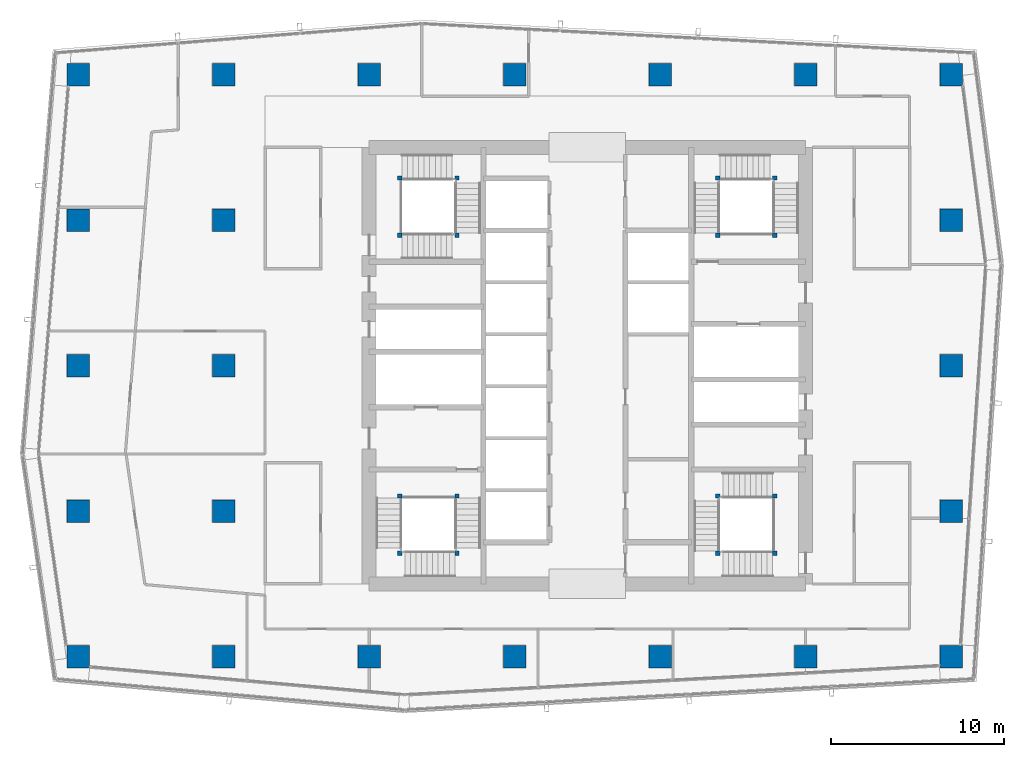
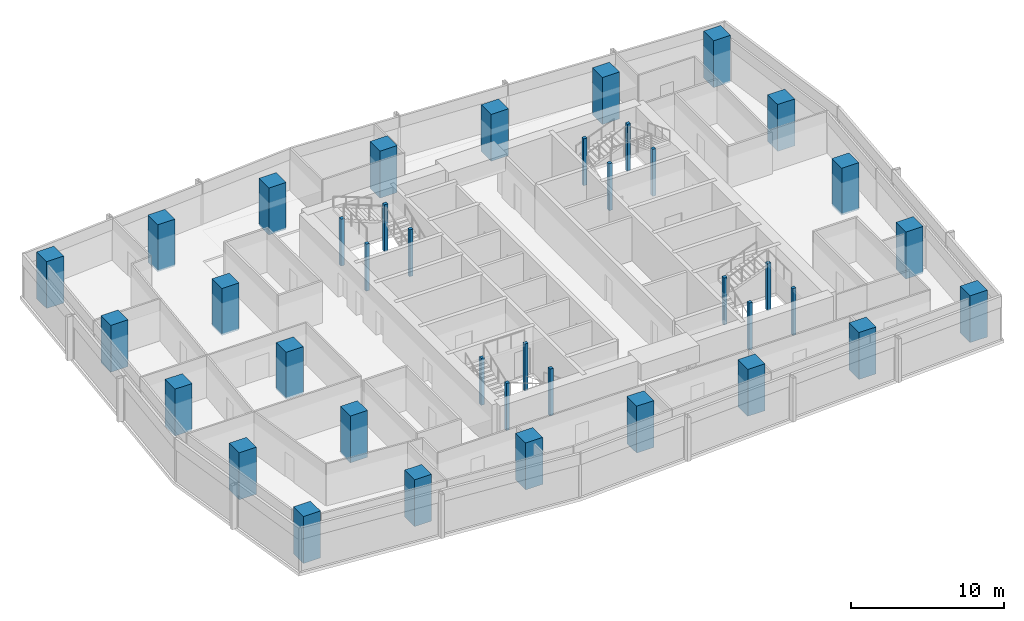
# One storey, part 1 of 30: 39 columns.
"""IFC4 building model written with IfcOpenShell, lengths in metres."""

from ifc_helpers import new_model, si_unit, direction, frame, origin, origin_2d, place, context, subcontext, project, spatial, rectangle, extrude, material, material_profile, profile_set, type_object, element, save


model = new_model("IFC4")

# Units and contexts
model_context = context("Model", 3, precision=1e-05, world=origin(), true_north=direction((0.0, 1.0)))
body_context = subcontext(model_context, "Body", "Model", "MODEL_VIEW")
ifc_project = project(units=[si_unit("LENGTHUNIT", "METRE"), si_unit("AREAUNIT", "SQUARE_METRE"), si_unit("VOLUMEUNIT", "CUBIC_METRE"), si_unit("PLANEANGLEUNIT", "RADIAN"), si_unit("MASSUNIT", "GRAM", prefix="KILO")], contexts=[model_context])

# Site, building, storey
site_placement = place(None, origin())
site = spatial("IfcSite", under=ifc_project, at=site_placement, CompositionType="ELEMENT")
building_placement = place(site_placement, origin())
building = spatial("IfcBuilding", under=site, at=building_placement, Name="Rekha Terrace Tower", CompositionType="ELEMENT")
storey_placement = place(building_placement, frame((0.0, 0.0, 265.10009765625)))
storey = spatial("IfcBuildingStorey", under=building, at=storey_placement, Name="L67", CompositionType="ELEMENT", Elevation=265.10009765625)

# Columns
ifc_material_1 = material(Name="Concrete M70", Category="concrete")
ifc_material_profile_1 = material_profile(ifc_material_1, rectangle(XDim=1.300048828125, YDim=1.300048828125, at=origin_2d()), Name="RC 1300x1300")
ifc_profile_set_1 = profile_set([ifc_material_profile_1], Name="Concrete M70")
column_type_1 = type_object("IfcColumnType", Name="C5D 1300x1300 column", PredefinedType="COLUMN", material=ifc_profile_set_1)
for number, where, z_axis, x_axis, name in (
    (1, (8.39990234375, 16.800048828125, 0.0), (0.0, 0.0, 1.0), (1.0, 0.0, 0.0), "Column C5D 2/C L67"),
    (2, (8.39990234375, 25.199951171875, 0.0), (0.0, 0.0, 1.0), (1.0, 0.0, 0.0), "Column C5D 2/D L67"),
    (3, (8.39990234375, 33.60009765625, 0.0), (0.0, 0.0, 1.0), (1.0, 0.0, 0.0), "Column C5D 2/E L67"),
    (4, (8.39990234375, 42.0, 0.0), (0.0, 0.0, 1.0), (1.0, 0.0, 0.0), "Column C5D 2/F L67"),
    (5, (8.39990234375, 50.39990234375, 0.0), (0.0, 0.0, 1.0), (1.0, 0.0, 0.0), "Column C5D 2/G L67"),
    (6, (16.800048828125, 16.800048828125, 0.0), (0.0, 0.0, 1.0), (1.0, 0.0, 0.0), "Column C5D 3/C L67"),
    (7, (16.800048828125, 25.199951171875, 0.0), (0.0, 0.0, 1.0), (1.0, 0.0, 0.0), "Column C5D 3/D L67"),
    (8, (16.800048828125, 33.60009765625, 0.0), (0.0, 0.0, 1.0), (1.0, 0.0, 0.0), "Column C5D 3/E L67"),
    (9, (16.800048828125, 42.0, 0.0), (0.0, 0.0, 1.0), (1.0, 0.0, 0.0), "Column C5D 3/F L67"),
    (10, (16.800048828125, 50.39990234375, 0.0), (0.0, 0.0, 1.0), (1.0, 0.0, 0.0), "Column C5D 3/G L67"),
    (11, (25.199951171875, 16.800048828125, 0.0), (0.0, 0.0, 1.0), (1.0, 0.0, 0.0), "Column C5D 4/C L67"),
    (12, (25.199951171875, 50.39990234375, 0.0), (0.0, 0.0, 1.0), (1.0, 0.0, 0.0), "Column C5D 4/G L67"),
    (13, (33.60009765625, 16.800048828125, 0.0), (0.0, 0.0, 1.0), (1.0, 0.0, 0.0), "Column C5D 5/C L67"),
    (14, (33.60009765625, 50.39990234375, 0.0), (0.0, 0.0, 1.0), (1.0, 0.0, 0.0), "Column C5D 5/G L67"),
    (15, (42.0, 16.800048828125, 0.0), (0.0, 0.0, 1.0), (1.0, 0.0, 0.0), "Column C5D 6/C L67"),
    (16, (42.0, 50.39990234375, 0.0), (0.0, 0.0, 1.0), (1.0, 0.0, 0.0), "Column C5D 6/G L67"),
    (17, (50.39990234375, 16.800048828125, 0.0), (0.0, 0.0, 1.0), (1.0, 0.0, 0.0), "Column C5D 7/C L67"),
    (18, (50.39990234375, 50.39990234375, 0.0), (0.0, 0.0, 1.0), (1.0, 0.0, 0.0), "Column C5D 7/G L67"),
    (19, (58.800048828125, 16.800048828125, 0.0), (0.0, 0.0, 1.0), (1.0, 0.0, 0.0), "Column C5D 8/C L67"),
    (20, (58.800048828125, 25.199951171875, 0.0), (0.0, 0.0, 1.0), (1.0, 0.0, 0.0), "Column C5D 8/D L67"),
    (21, (58.800048828125, 33.60009765625, 0.0), (0.0, 0.0, 1.0), (1.0, 0.0, 0.0), "Column C5D 8/E L67"),
    (22, (58.800048828125, 42.0, 0.0), (0.0, 0.0, 1.0), (1.0, 0.0, 0.0), "Column C5D 8/F L67"),
    (23, (58.800048828125, 50.39990234375, 0.0), (0.0, 0.0, 1.0), (1.0, 0.0, 0.0), "Column C5D 8/G L67"),
):
    element("IfcColumn", number, at=place(storey_placement, frame(where, z_axis=z_axis, x_axis=x_axis)), inside=storey, type_object=column_type_1, Name=name, PredefinedType="COLUMN", context=body_context, shape_type="SweptSolid", body=[
        extrude(rectangle(XDim=1.300048828125, YDim=1.300048828125, at=origin_2d()), origin(), (0.0, 0.0, 1.0), 3.75),
    ])
ifc_material_2 = material(Name="Concrete M60", Category="concrete")
ifc_material_profile_2 = material_profile(ifc_material_2, rectangle(XDim=0.25, YDim=0.25, at=origin_2d()), Name="RC 250x250")
ifc_profile_set_2 = profile_set([ifc_material_profile_2], Name="Concrete M60")
column_type_2 = type_object("IfcColumnType", Name="NP1 250x250 stair newel post", PredefinedType="COLUMN", material=ifc_profile_set_2)
for number, where, z_axis, x_axis, name in (
    (24, (30.27490234375, 26.074951171875, 0.0), (0.0, 0.0, 1.0), (1.0, 0.0, 0.0), "Stair newel post NP1"),
    (25, (30.27490234375, 22.77490234375, 0.0), (0.0, 0.0, 1.0), (1.0, 0.0, 0.0), "Stair newel post NP1"),
    (26, (26.97509765625, 22.77490234375, 0.0), (0.0, 0.0, 1.0), (1.0, 0.0, 0.0), "Stair newel post NP1"),
    (27, (26.97509765625, 26.074951171875, 0.0), (0.0, 0.0, 1.0), (1.0, 0.0, 0.0), "Stair newel post NP1"),
    (28, (45.324951171875, 41.125, 0.0), (0.0, 0.0, 1.0), (1.0, 0.0, 0.0), "Stair newel post NP1"),
    (29, (45.324951171875, 44.425048828125, 0.0), (0.0, 0.0, 1.0), (1.0, 0.0, 0.0), "Stair newel post NP1"),
    (30, (48.625, 44.425048828125, 0.0), (0.0, 0.0, 1.0), (1.0, 0.0, 0.0), "Stair newel post NP1"),
    (31, (48.625, 41.125, 0.0), (0.0, 0.0, 1.0), (1.0, 0.0, 0.0), "Stair newel post NP1"),
    (32, (48.625, 22.77490234375, 0.0), (0.0, 0.0, 1.0), (1.0, 0.0, 0.0), "Stair newel post NP1"),
    (33, (45.324951171875, 22.77490234375, 0.0), (0.0, 0.0, 1.0), (1.0, 0.0, 0.0), "Stair newel post NP1"),
    (34, (45.324951171875, 26.074951171875, 0.0), (0.0, 0.0, 1.0), (1.0, 0.0, 0.0), "Stair newel post NP1"),
    (35, (48.625, 26.074951171875, 0.0), (0.0, 0.0, 1.0), (1.0, 0.0, 0.0), "Stair newel post NP1"),
    (36, (26.97509765625, 41.125, 0.0), (0.0, 0.0, 1.0), (1.0, 0.0, 0.0), "Stair newel post NP1"),
    (37, (30.27490234375, 41.125, 0.0), (0.0, 0.0, 1.0), (1.0, 0.0, 0.0), "Stair newel post NP1"),
    (38, (30.27490234375, 44.425048828125, 0.0), (0.0, 0.0, 1.0), (1.0, 0.0, 0.0), "Stair newel post NP1"),
    (39, (26.97509765625, 44.425048828125, 0.0), (0.0, 0.0, 1.0), (1.0, 0.0, 0.0), "Stair newel post NP1"),
):
    element("IfcColumn", number, at=place(storey_placement, frame(where, z_axis=z_axis, x_axis=x_axis)), inside=storey, type_object=column_type_2, Name=name, PredefinedType="COLUMN", context=body_context, shape_type="SweptSolid", body=[
        extrude(rectangle(XDim=0.25, YDim=0.25, at=origin_2d()), origin(), (0.0, 0.0, 1.0), 3.75),
    ])

save(model, "model.ifc")
